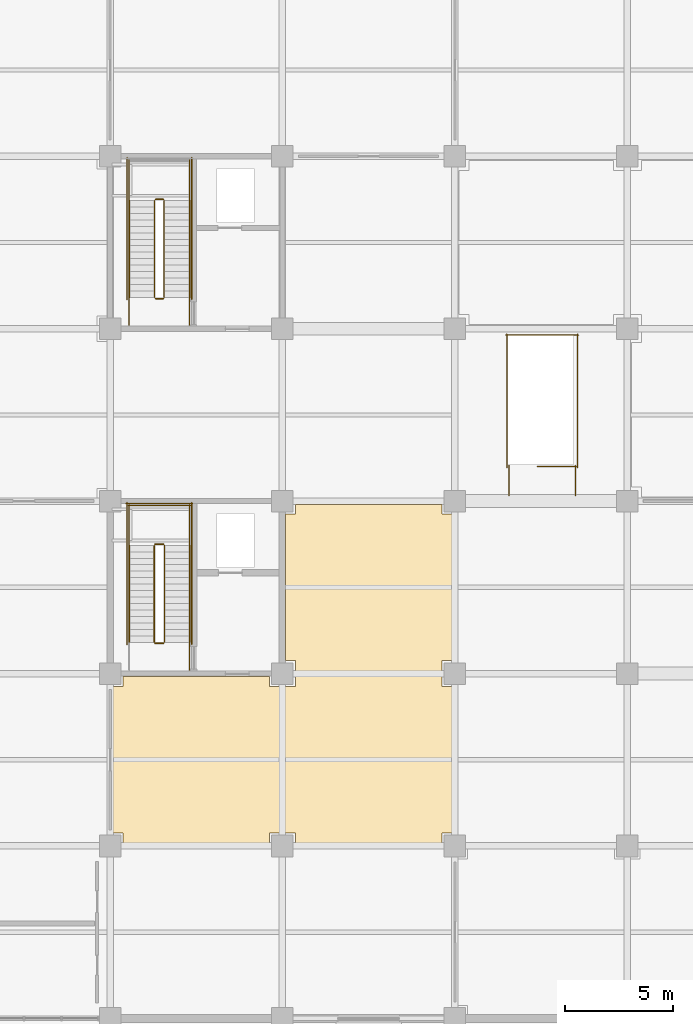
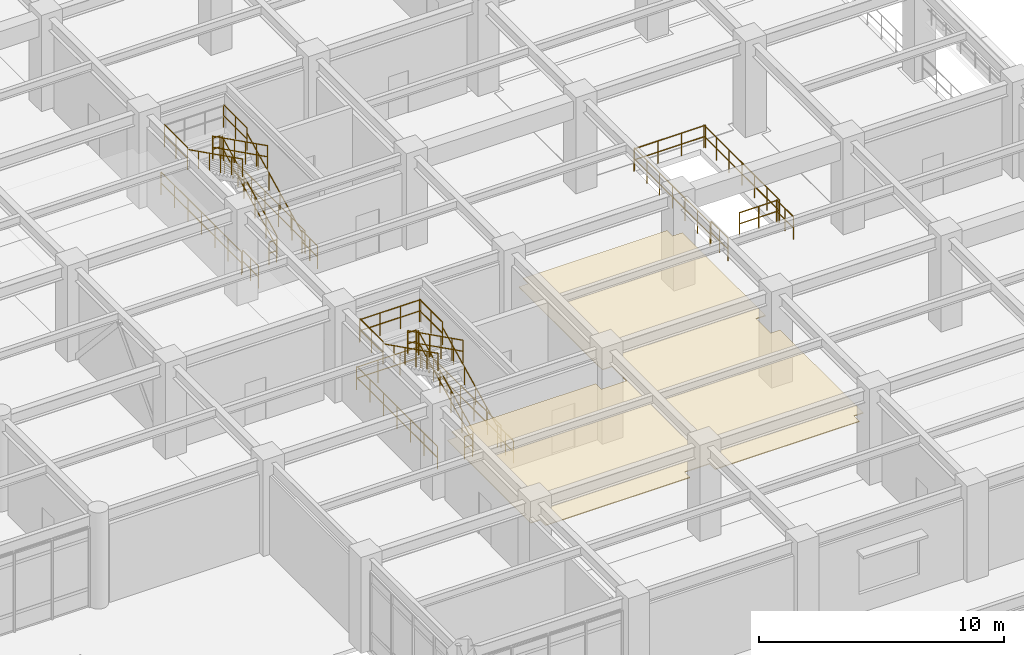
# One storey, part 98 of 117: 31 railings, 1 covering.
"""IFC4 building model written with IfcOpenShell, lengths in metres."""

from ifc_helpers import new_model, si_unit, direction, frame, origin, origin_2d, place, context, subcontext, project, spatial, polyline, circle, outline, extrude, material, layer, layer_set, type_object, element, save


model = new_model("IFC4")

# Units and contexts
model_context = context("Model", 3, precision=1e-05, world=origin(), true_north=direction((0.0, 1.0)))
body_context = subcontext(model_context, "Body", "Model", "MODEL_VIEW")
ifc_project = project(units=[si_unit("LENGTHUNIT", "METRE"), si_unit("AREAUNIT", "SQUARE_METRE"), si_unit("VOLUMEUNIT", "CUBIC_METRE"), si_unit("PLANEANGLEUNIT", "RADIAN"), si_unit("MASSUNIT", "GRAM", prefix="KILO")], contexts=[model_context])

# Site, building, storey
site_placement = place(None, origin())
site = spatial("IfcSite", under=ifc_project, at=site_placement, CompositionType="ELEMENT")
building_placement = place(site_placement, origin())
building = spatial("IfcBuilding", under=site, at=building_placement, Name="Haebicheon Civic Stadium", CompositionType="ELEMENT")
storey_placement = place(building_placement, frame((0.0, 0.0, 4.800048828125)))
storey = spatial("IfcBuildingStorey", under=building, at=storey_placement, Name="L02", CompositionType="ELEMENT", Elevation=4.800048828125)

# Covering
ifc_material_1 = material(Name="Perforated mineral-fibre acoustic board", Category="gypsum")
ifc_layer = layer(ifc_material_1, 0.0400390625, Name="Perforated mineral-fibre acoustic board")
ifc_layer_set = layer_set([ifc_layer], Name="Perforated mineral-fibre acoustic board")
covering_type = type_object("IfcCoveringType", Name="COV-CLG-AC", PredefinedType="CEILING", material=ifc_layer_set)
covering_placement = place(storey_placement, frame((0.0, 0.0, 2.81005859375)))
element("IfcCovering", 1, at=covering_placement, inside=storey, type_object=covering_type, material=ifc_layer_set, Name="L02 First Aid Station acoustic ceiling", PredefinedType="CEILING", context=body_context, shape_type="SweptSolid", body=[
    extrude(outline(polyline([(32.14501953125, 39.405029296875), (32.594970703125, 39.405029296875), (32.594970703125, 39.85498046875), (39.405029296875, 39.85498046875), (39.405029296875, 39.405029296875), (40.594970703125, 39.405029296875), (40.594970703125, 40.594970703125), (40.14501953125, 40.594970703125), (40.14501953125, 47.405029296875), (40.594970703125, 47.405029296875), (40.594970703125, 47.85498046875), (47.405029296875, 47.85498046875), (47.405029296875, 47.405029296875), (47.85498046875, 47.405029296875), (47.85498046875, 40.594970703125), (47.405029296875, 40.594970703125), (47.405029296875, 39.405029296875), (47.85498046875, 39.405029296875), (47.85498046875, 32.594970703125), (47.405029296875, 32.594970703125), (47.405029296875, 32.14501953125), (40.594970703125, 32.14501953125), (40.594970703125, 32.594970703125), (39.405029296875, 32.594970703125), (39.405029296875, 32.14501953125), (32.594970703125, 32.14501953125), (32.594970703125, 32.594970703125), (32.14501953125, 32.594970703125), (32.14501953125, 39.405029296875)])), origin(), (0.0, 0.0, 1.0), 0.039794921875),
])

# Railings
ifc_material_2 = material(Name="Galvanised painted steel SM355", Category="steel")
railing_type_1 = type_object("IfcRailingType", Name="RL-GRD-1150", PredefinedType="GUARDRAIL", material=ifc_material_2)
railing_1_placement = place(storey_placement, frame((34.530029296875, 41.449951171875, 0.14990234375)))
element("IfcRailing", 2, at=railing_1_placement, inside=storey, type_object=railing_type_1, material=ifc_material_2, Name="L02 ST-01 stair guard 1", PredefinedType="GUARDRAIL", context=body_context, shape_type="SweptSolid", body=[
    extrude(circle(Radius=0.02392578125, at=origin_2d()), frame((0.0, 0.0, 1.1259765625), z_axis=(0.0, 0.894427191, 0.4472135955), x_axis=(-1.0, 0.0, 0.0)), (0.0, 0.0, 1.0), 5.03125),
    extrude(circle(Radius=0.02392578125, at=origin_2d()), frame((0.0, 0.0, 0.574951171875), z_axis=(0.0, 0.894427191, 0.4472135955), x_axis=(-1.0, 0.0, 0.0)), (0.0, 0.0, 1.0), 5.03125),
    extrude(circle(Radius=0.02099609375, at=origin_2d()), origin(), (0.0, 0.0, 1.0), 1.101806640625),
    extrude(circle(Radius=0.02099609375, at=origin_2d()), frame((0.0, 0.89990234375, 0.449951171875)), (0.0, 0.0, 1.0), 1.101806640625),
    extrude(circle(Radius=0.02099609375, at=origin_2d()), frame((0.0, 1.800048828125, 0.89990234375)), (0.0, 0.0, 1.0), 1.101806640625),
    extrude(circle(Radius=0.02099609375, at=origin_2d()), frame((0.0, 2.699951171875, 1.35009765625)), (0.0, 0.0, 1.0), 1.101806640625),
    extrude(circle(Radius=0.02099609375, at=origin_2d()), frame((0.0, 3.60009765625, 1.800048828125)), (0.0, 0.0, 1.0), 1.101806640625),
    extrude(circle(Radius=0.02099609375, at=origin_2d()), frame((0.0, 4.5, 2.25)), (0.0, 0.0, 1.0), 1.101806640625),
])
railing_2_placement = place(storey_placement, frame((34.47998046875, 46.0, 2.39990234375)))
element("IfcRailing", 3, at=railing_2_placement, inside=storey, type_object=railing_type_1, material=ifc_material_2, Name="L02 ST-01 stair guard 2", PredefinedType="GUARDRAIL", context=body_context, shape_type="SweptSolid", body=[
    extrude(circle(Radius=0.02392578125, at=origin_2d()), frame((0.0, 0.0, 1.1259765625), z_axis=(-1.0, 0.0, 0.0), x_axis=(0.0, -1.0, 0.0)), (0.0, 0.0, 1.0), 0.3798828125),
    extrude(circle(Radius=0.02392578125, at=origin_2d()), frame((0.0, 0.0, 0.574951171875), z_axis=(-1.0, 0.0, 0.0), x_axis=(0.0, -1.0, 0.0)), (0.0, 0.0, 1.0), 0.3798828125),
    extrude(circle(Radius=0.02099609375, at=origin_2d()), origin(), (0.0, 0.0, 1.0), 1.101806640625),
    extrude(circle(Radius=0.02099609375, at=origin_2d()), frame((-0.3798828125, 0.0, 0.0)), (0.0, 0.0, 1.0), 1.101806640625),
])
for number, where, name in (
    (4, (35.68994140625, 45.949951171875, 2.39990234375), "L02 ST-01 stair guard 3"),
    (5, (32.889892578125, 45.949951171875, 2.39990234375), "L02 ST-01 stair guard 4"),
):
    element("IfcRailing", number, at=place(storey_placement, frame(where)), inside=storey, type_object=railing_type_1, material=ifc_material_2, Name=name, PredefinedType="GUARDRAIL", context=body_context, shape_type="SweptSolid", body=[
        extrude(circle(Radius=0.02392578125, at=origin_2d()), frame((0.0, 0.0, 1.1259765625), z_axis=(0.0, 1.0, 0.0), x_axis=(-1.0, 0.0, 0.0)), (0.0, 0.0, 1.0), 1.89013671875),
        extrude(circle(Radius=0.02392578125, at=origin_2d()), frame((0.0, 0.0, 0.574951171875), z_axis=(0.0, 1.0, 0.0), x_axis=(-1.0, 0.0, 0.0)), (0.0, 0.0, 1.0), 1.89013671875),
        extrude(circle(Radius=0.02099609375, at=origin_2d()), origin(), (0.0, 0.0, 1.0), 1.101806640625),
        extrude(circle(Radius=0.02099609375, at=origin_2d()), frame((0.0, 0.945068359375, 0.0)), (0.0, 0.0, 1.0), 1.101806640625),
        extrude(circle(Radius=0.02099609375, at=origin_2d()), frame((0.0, 1.89013671875, 0.0)), (0.0, 0.0, 1.0), 1.101806640625),
    ])
railing_3_placement = place(storey_placement, frame((35.739990234375, 47.7900390625, 2.39990234375)))
element("IfcRailing", 6, at=railing_3_placement, inside=storey, type_object=railing_type_1, material=ifc_material_2, Name="L02 ST-01 stair guard 5", PredefinedType="GUARDRAIL", context=body_context, shape_type="SweptSolid", body=[
    extrude(circle(Radius=0.02392578125, at=origin_2d()), frame((0.0, 0.0, 1.1259765625), z_axis=(-1.0, 0.0, 0.0), x_axis=(0.0, -1.0, 0.0)), (0.0, 0.0, 1.0), 2.89990234375),
    extrude(circle(Radius=0.02392578125, at=origin_2d()), frame((0.0, 0.0, 0.574951171875), z_axis=(-1.0, 0.0, 0.0), x_axis=(0.0, -1.0, 0.0)), (0.0, 0.0, 1.0), 2.89990234375),
    extrude(circle(Radius=0.02099609375, at=origin_2d()), origin(), (0.0, 0.0, 1.0), 1.101806640625),
    extrude(circle(Radius=0.02099609375, at=origin_2d()), frame((-0.966552734375, 0.0, 0.0)), (0.0, 0.0, 1.0), 1.101806640625),
    extrude(circle(Radius=0.02099609375, at=origin_2d()), frame((-1.933349609375, 0.0, 0.0)), (0.0, 0.0, 1.0), 1.101806640625),
    extrude(circle(Radius=0.02099609375, at=origin_2d()), frame((-2.89990234375, 0.0, 0.0)), (0.0, 0.0, 1.0), 1.101806640625),
])
railing_4_placement = place(storey_placement, frame((34.050048828125, 45.949951171875, 2.550048828125)))
element("IfcRailing", 7, at=railing_4_placement, inside=storey, type_object=railing_type_1, material=ifc_material_2, Name="L02 ST-01 stair guard 6", PredefinedType="GUARDRAIL", context=body_context, shape_type="SweptSolid", body=[
    extrude(circle(Radius=0.02392578125, at=origin_2d()), frame((0.0, 0.0, 1.1259765625), z_axis=(0.0, -0.894427191, 0.4472135955), x_axis=(1.0, 0.0, 0.0)), (0.0, 0.0, 1.0), 5.03125),
    extrude(circle(Radius=0.02392578125, at=origin_2d()), frame((0.0, 0.0, 0.574951171875), z_axis=(0.0, -0.894427191, 0.4472135955), x_axis=(1.0, 0.0, 0.0)), (0.0, 0.0, 1.0), 5.03125),
    extrude(circle(Radius=0.02099609375, at=origin_2d()), origin(), (0.0, 0.0, 1.0), 1.101806640625),
    extrude(circle(Radius=0.02099609375, at=origin_2d()), frame((0.0, -0.89990234375, 0.449951171875)), (0.0, 0.0, 1.0), 1.101806640625),
    extrude(circle(Radius=0.02099609375, at=origin_2d()), frame((0.0, -1.800048828125, 0.89990234375)), (0.0, 0.0, 1.0), 1.101806640625),
    extrude(circle(Radius=0.02099609375, at=origin_2d()), frame((0.0, -2.699951171875, 1.35009765625)), (0.0, 0.0, 1.0), 1.101806640625),
    extrude(circle(Radius=0.02099609375, at=origin_2d()), frame((0.0, -3.60009765625, 1.800048828125)), (0.0, 0.0, 1.0), 1.101806640625),
    extrude(circle(Radius=0.02099609375, at=origin_2d()), frame((0.0, -4.5, 2.25)), (0.0, 0.0, 1.0), 1.101806640625),
])
railing_5_placement = place(storey_placement, frame((34.47998046875, 41.39990234375, 0.0)))
element("IfcRailing", 8, at=railing_5_placement, inside=storey, type_object=railing_type_1, material=ifc_material_2, Name="L02 ST-01 stair guard 7", PredefinedType="GUARDRAIL", context=body_context, shape_type="SweptSolid", body=[
    extrude(circle(Radius=0.02392578125, at=origin_2d()), frame((0.0, 0.0, 1.1259765625), z_axis=(-1.0, 0.0, 0.0), x_axis=(0.0, -1.0, 0.0)), (0.0, 0.0, 1.0), 0.3798828125),
    extrude(circle(Radius=0.02392578125, at=origin_2d()), frame((0.0, 0.0, 0.574951171875), z_axis=(-1.0, 0.0, 0.0), x_axis=(0.0, -1.0, 0.0)), (0.0, 0.0, 1.0), 0.3798828125),
    extrude(circle(Radius=0.02099609375, at=origin_2d()), origin(), (0.0, 0.0, 1.0), 1.101806640625),
    extrude(circle(Radius=0.02099609375, at=origin_2d()), frame((-0.3798828125, 0.0, 0.0)), (0.0, 0.0, 1.0), 1.101806640625),
])
railing_6_placement = place(storey_placement, frame((35.68994140625, 40.159912109375, 0.0)))
element("IfcRailing", 9, at=railing_6_placement, inside=storey, type_object=railing_type_1, material=ifc_material_2, Name="L02 ST-01 stair guard 8", PredefinedType="GUARDRAIL", context=body_context, shape_type="SweptSolid", body=[
    extrude(circle(Radius=0.02392578125, at=origin_2d()), frame((0.0, 0.0, 1.1259765625), z_axis=(0.0, 1.0, 0.0), x_axis=(-1.0, 0.0, 0.0)), (0.0, 0.0, 1.0), 1.2900390625),
    extrude(circle(Radius=0.02392578125, at=origin_2d()), frame((0.0, 0.0, 0.574951171875), z_axis=(0.0, 1.0, 0.0), x_axis=(-1.0, 0.0, 0.0)), (0.0, 0.0, 1.0), 1.2900390625),
    extrude(circle(Radius=0.02099609375, at=origin_2d()), origin(), (0.0, 0.0, 1.0), 1.101806640625),
    extrude(circle(Radius=0.02099609375, at=origin_2d()), frame((0.0, 0.64501953125, 0.0)), (0.0, 0.0, 1.0), 1.101806640625),
    extrude(circle(Radius=0.02099609375, at=origin_2d()), frame((0.0, 1.2900390625, 0.0)), (0.0, 0.0, 1.0), 1.101806640625),
])
for number, where, name in (
    (10, (35.7900390625, 41.35009765625, 0.0), "L02 ST-01 stair guard 10"),
    (11, (32.7900390625, 41.35009765625, 0.0), "L02 ST-01 stair guard 11"),
):
    element("IfcRailing", number, at=place(storey_placement, frame(where)), inside=storey, type_object=railing_type_1, material=ifc_material_2, Name=name, PredefinedType="GUARDRAIL", context=body_context, shape_type="SweptSolid", body=[
        extrude(circle(Radius=0.02392578125, at=origin_2d()), frame((0.0, 0.0, 1.1259765625), z_axis=(0.0, 1.0, 0.0), x_axis=(-1.0, 0.0, 0.0)), (0.0, 0.0, 1.0), 6.58984375),
        extrude(circle(Radius=0.02392578125, at=origin_2d()), frame((0.0, 0.0, 0.574951171875), z_axis=(0.0, 1.0, 0.0), x_axis=(-1.0, 0.0, 0.0)), (0.0, 0.0, 1.0), 6.58984375),
        extrude(circle(Radius=0.02099609375, at=origin_2d()), origin(), (0.0, 0.0, 1.0), 1.101806640625),
        extrude(circle(Radius=0.02099609375, at=origin_2d()), frame((0.0, 1.098388671875, 0.0)), (0.0, 0.0, 1.0), 1.101806640625),
        extrude(circle(Radius=0.02099609375, at=origin_2d()), frame((0.0, 2.196533203125, 0.0)), (0.0, 0.0, 1.0), 1.101806640625),
        extrude(circle(Radius=0.02099609375, at=origin_2d()), frame((0.0, 3.294921875, 0.0)), (0.0, 0.0, 1.0), 1.101806640625),
        extrude(circle(Radius=0.02099609375, at=origin_2d()), frame((0.0, 4.393310546875, 0.0)), (0.0, 0.0, 1.0), 1.101806640625),
        extrude(circle(Radius=0.02099609375, at=origin_2d()), frame((0.0, 5.491455078125, 0.0)), (0.0, 0.0, 1.0), 1.101806640625),
        extrude(circle(Radius=0.02099609375, at=origin_2d()), frame((0.0, 6.58984375, 0.0)), (0.0, 0.0, 1.0), 1.101806640625),
    ])
railing_7_placement = place(storey_placement, frame((35.840087890625, 47.889892578125, 0.0)))
element("IfcRailing", 12, at=railing_7_placement, inside=storey, type_object=railing_type_1, material=ifc_material_2, Name="L02 ST-01 stair guard 12", PredefinedType="GUARDRAIL", context=body_context, shape_type="SweptSolid", body=[
    extrude(circle(Radius=0.02392578125, at=origin_2d()), frame((0.0, 0.0, 1.1259765625), z_axis=(-1.0, 0.0, 0.0), x_axis=(0.0, -1.0, 0.0)), (0.0, 0.0, 1.0), 3.10009765625),
    extrude(circle(Radius=0.02392578125, at=origin_2d()), frame((0.0, 0.0, 0.574951171875), z_axis=(-1.0, 0.0, 0.0), x_axis=(0.0, -1.0, 0.0)), (0.0, 0.0, 1.0), 3.10009765625),
    extrude(circle(Radius=0.02099609375, at=origin_2d()), origin(), (0.0, 0.0, 1.0), 1.101806640625),
    extrude(circle(Radius=0.02099609375, at=origin_2d()), frame((-1.033447265625, 0.0, 0.0)), (0.0, 0.0, 1.0), 1.101806640625),
    extrude(circle(Radius=0.02099609375, at=origin_2d()), frame((-2.066650390625, 0.0, 0.0)), (0.0, 0.0, 1.0), 1.101806640625),
    extrude(circle(Radius=0.02099609375, at=origin_2d()), frame((-3.10009765625, 0.0, 0.0)), (0.0, 0.0, 1.0), 1.101806640625),
])
railing_8_placement = place(storey_placement, frame((34.510009765625, 57.449951171875, 0.14990234375)))
element("IfcRailing", 13, at=railing_8_placement, inside=storey, type_object=railing_type_1, material=ifc_material_2, Name="L02 ST-02 stair guard 1", PredefinedType="GUARDRAIL", context=body_context, shape_type="SweptSolid", body=[
    extrude(circle(Radius=0.02392578125, at=origin_2d()), frame((0.0, 0.0, 1.1259765625), z_axis=(0.0, 0.894427191, 0.4472135955), x_axis=(-1.0, 0.0, 0.0)), (0.0, 0.0, 1.0), 5.03125),
    extrude(circle(Radius=0.02392578125, at=origin_2d()), frame((0.0, 0.0, 0.574951171875), z_axis=(0.0, 0.894427191, 0.4472135955), x_axis=(-1.0, 0.0, 0.0)), (0.0, 0.0, 1.0), 5.03125),
    extrude(circle(Radius=0.02099609375, at=origin_2d()), origin(), (0.0, 0.0, 1.0), 1.101806640625),
    extrude(circle(Radius=0.02099609375, at=origin_2d()), frame((0.0, 0.89990234375, 0.449951171875)), (0.0, 0.0, 1.0), 1.101806640625),
    extrude(circle(Radius=0.02099609375, at=origin_2d()), frame((0.0, 1.800048828125, 0.89990234375)), (0.0, 0.0, 1.0), 1.101806640625),
    extrude(circle(Radius=0.02099609375, at=origin_2d()), frame((0.0, 2.699951171875, 1.35009765625)), (0.0, 0.0, 1.0), 1.101806640625),
    extrude(circle(Radius=0.02099609375, at=origin_2d()), frame((0.0, 3.60009765625, 1.800048828125)), (0.0, 0.0, 1.0), 1.101806640625),
    extrude(circle(Radius=0.02099609375, at=origin_2d()), frame((0.0, 4.5, 2.25)), (0.0, 0.0, 1.0), 1.101806640625),
])
railing_9_placement = place(storey_placement, frame((34.4599609375, 62.0, 2.39990234375)))
element("IfcRailing", 14, at=railing_9_placement, inside=storey, type_object=railing_type_1, material=ifc_material_2, Name="L02 ST-02 stair guard 2", PredefinedType="GUARDRAIL", context=body_context, shape_type="SweptSolid", body=[
    extrude(circle(Radius=0.02392578125, at=origin_2d()), frame((0.0, 0.0, 1.1259765625), z_axis=(-1.0, 0.0, 0.0), x_axis=(0.0, -1.0, 0.0)), (0.0, 0.0, 1.0), 0.33984375),
    extrude(circle(Radius=0.02392578125, at=origin_2d()), frame((0.0, 0.0, 0.574951171875), z_axis=(-1.0, 0.0, 0.0), x_axis=(0.0, -1.0, 0.0)), (0.0, 0.0, 1.0), 0.33984375),
    extrude(circle(Radius=0.02099609375, at=origin_2d()), origin(), (0.0, 0.0, 1.0), 1.101806640625),
    extrude(circle(Radius=0.02099609375, at=origin_2d()), frame((-0.33984375, 0.0, 0.0)), (0.0, 0.0, 1.0), 1.101806640625),
])
for number, where, name in (
    (15, (35.68994140625, 61.949951171875, 2.39990234375), "L02 ST-02 stair guard 3"),
    (16, (32.889892578125, 61.949951171875, 2.39990234375), "L02 ST-02 stair guard 4"),
):
    element("IfcRailing", number, at=place(storey_placement, frame(where)), inside=storey, type_object=railing_type_1, material=ifc_material_2, Name=name, PredefinedType="GUARDRAIL", context=body_context, shape_type="SweptSolid", body=[
        extrude(circle(Radius=0.02392578125, at=origin_2d()), frame((0.0, 0.0, 1.1259765625), z_axis=(0.0, 1.0, 0.0), x_axis=(-1.0, 0.0, 0.0)), (0.0, 0.0, 1.0), 1.89013671875),
        extrude(circle(Radius=0.02392578125, at=origin_2d()), frame((0.0, 0.0, 0.574951171875), z_axis=(0.0, 1.0, 0.0), x_axis=(-1.0, 0.0, 0.0)), (0.0, 0.0, 1.0), 1.89013671875),
        extrude(circle(Radius=0.02099609375, at=origin_2d()), origin(), (0.0, 0.0, 1.0), 1.101806640625),
        extrude(circle(Radius=0.02099609375, at=origin_2d()), frame((0.0, 0.945068359375, 0.0)), (0.0, 0.0, 1.0), 1.101806640625),
        extrude(circle(Radius=0.02099609375, at=origin_2d()), frame((0.0, 1.89013671875, 0.0)), (0.0, 0.0, 1.0), 1.101806640625),
    ])
railing_10_placement = place(storey_placement, frame((34.070068359375, 61.949951171875, 2.550048828125)))
element("IfcRailing", 17, at=railing_10_placement, inside=storey, type_object=railing_type_1, material=ifc_material_2, Name="L02 ST-02 stair guard 6", PredefinedType="GUARDRAIL", context=body_context, shape_type="SweptSolid", body=[
    extrude(circle(Radius=0.02392578125, at=origin_2d()), frame((0.0, 0.0, 1.1259765625), z_axis=(0.0, -0.894427191, 0.4472135955), x_axis=(1.0, 0.0, 0.0)), (0.0, 0.0, 1.0), 5.03125),
    extrude(circle(Radius=0.02392578125, at=origin_2d()), frame((0.0, 0.0, 0.574951171875), z_axis=(0.0, -0.894427191, 0.4472135955), x_axis=(1.0, 0.0, 0.0)), (0.0, 0.0, 1.0), 5.03125),
    extrude(circle(Radius=0.02099609375, at=origin_2d()), origin(), (0.0, 0.0, 1.0), 1.101806640625),
    extrude(circle(Radius=0.02099609375, at=origin_2d()), frame((0.0, -0.89990234375, 0.449951171875)), (0.0, 0.0, 1.0), 1.101806640625),
    extrude(circle(Radius=0.02099609375, at=origin_2d()), frame((0.0, -1.800048828125, 0.89990234375)), (0.0, 0.0, 1.0), 1.101806640625),
    extrude(circle(Radius=0.02099609375, at=origin_2d()), frame((0.0, -2.699951171875, 1.35009765625)), (0.0, 0.0, 1.0), 1.101806640625),
    extrude(circle(Radius=0.02099609375, at=origin_2d()), frame((0.0, -3.60009765625, 1.800048828125)), (0.0, 0.0, 1.0), 1.101806640625),
    extrude(circle(Radius=0.02099609375, at=origin_2d()), frame((0.0, -4.5, 2.25)), (0.0, 0.0, 1.0), 1.101806640625),
])
railing_11_placement = place(storey_placement, frame((34.4599609375, 57.39990234375, 0.0)))
element("IfcRailing", 18, at=railing_11_placement, inside=storey, type_object=railing_type_1, material=ifc_material_2, Name="L02 ST-02 stair guard 7", PredefinedType="GUARDRAIL", context=body_context, shape_type="SweptSolid", body=[
    extrude(circle(Radius=0.02392578125, at=origin_2d()), frame((0.0, 0.0, 1.1259765625), z_axis=(-1.0, 0.0, 0.0), x_axis=(0.0, -1.0, 0.0)), (0.0, 0.0, 1.0), 0.33984375),
    extrude(circle(Radius=0.02392578125, at=origin_2d()), frame((0.0, 0.0, 0.574951171875), z_axis=(-1.0, 0.0, 0.0), x_axis=(0.0, -1.0, 0.0)), (0.0, 0.0, 1.0), 0.33984375),
    extrude(circle(Radius=0.02099609375, at=origin_2d()), origin(), (0.0, 0.0, 1.0), 1.101806640625),
    extrude(circle(Radius=0.02099609375, at=origin_2d()), frame((-0.33984375, 0.0, 0.0)), (0.0, 0.0, 1.0), 1.101806640625),
])
for number, where, name in (
    (19, (35.68994140625, 56.159912109375, 0.0), "L02 ST-02 stair guard 8"),
    (20, (32.889892578125, 56.159912109375, 0.0), "L02 ST-02 stair guard 9"),
):
    element("IfcRailing", number, at=place(storey_placement, frame(where)), inside=storey, type_object=railing_type_1, material=ifc_material_2, Name=name, PredefinedType="GUARDRAIL", context=body_context, shape_type="SweptSolid", body=[
        extrude(circle(Radius=0.02392578125, at=origin_2d()), frame((0.0, 0.0, 1.1259765625), z_axis=(0.0, 1.0, 0.0), x_axis=(-1.0, 0.0, 0.0)), (0.0, 0.0, 1.0), 1.2900390625),
        extrude(circle(Radius=0.02392578125, at=origin_2d()), frame((0.0, 0.0, 0.574951171875), z_axis=(0.0, 1.0, 0.0), x_axis=(-1.0, 0.0, 0.0)), (0.0, 0.0, 1.0), 1.2900390625),
        extrude(circle(Radius=0.02099609375, at=origin_2d()), origin(), (0.0, 0.0, 1.0), 1.101806640625),
        extrude(circle(Radius=0.02099609375, at=origin_2d()), frame((0.0, 0.64501953125, 0.0)), (0.0, 0.0, 1.0), 1.101806640625),
        extrude(circle(Radius=0.02099609375, at=origin_2d()), frame((0.0, 1.2900390625, 0.0)), (0.0, 0.0, 1.0), 1.101806640625),
    ])
for number, where, name in (
    (21, (35.7900390625, 57.35009765625, 0.0), "L02 ST-02 stair guard 10"),
    (22, (32.7900390625, 57.35009765625, 0.0), "L02 ST-02 stair guard 11"),
):
    element("IfcRailing", number, at=place(storey_placement, frame(where)), inside=storey, type_object=railing_type_1, material=ifc_material_2, Name=name, PredefinedType="GUARDRAIL", context=body_context, shape_type="SweptSolid", body=[
        extrude(circle(Radius=0.02392578125, at=origin_2d()), frame((0.0, 0.0, 1.1259765625), z_axis=(0.0, 1.0, 0.0), x_axis=(-1.0, 0.0, 0.0)), (0.0, 0.0, 1.0), 6.58984375),
        extrude(circle(Radius=0.02392578125, at=origin_2d()), frame((0.0, 0.0, 0.574951171875), z_axis=(0.0, 1.0, 0.0), x_axis=(-1.0, 0.0, 0.0)), (0.0, 0.0, 1.0), 6.58984375),
        extrude(circle(Radius=0.02099609375, at=origin_2d()), origin(), (0.0, 0.0, 1.0), 1.101806640625),
        extrude(circle(Radius=0.02099609375, at=origin_2d()), frame((0.0, 1.098388671875, 0.0)), (0.0, 0.0, 1.0), 1.101806640625),
        extrude(circle(Radius=0.02099609375, at=origin_2d()), frame((0.0, 2.196533203125, 0.0)), (0.0, 0.0, 1.0), 1.101806640625),
        extrude(circle(Radius=0.02099609375, at=origin_2d()), frame((0.0, 3.294921875, 0.0)), (0.0, 0.0, 1.0), 1.101806640625),
        extrude(circle(Radius=0.02099609375, at=origin_2d()), frame((0.0, 4.393310546875, 0.0)), (0.0, 0.0, 1.0), 1.101806640625),
        extrude(circle(Radius=0.02099609375, at=origin_2d()), frame((0.0, 5.491455078125, 0.0)), (0.0, 0.0, 1.0), 1.101806640625),
        extrude(circle(Radius=0.02099609375, at=origin_2d()), frame((0.0, 6.58984375, 0.0)), (0.0, 0.0, 1.0), 1.101806640625),
    ])
railing_12_placement = place(storey_placement, frame((53.639892578125, 49.60009765625, 0.0)))
element("IfcRailing", 23, at=railing_12_placement, inside=storey, type_object=railing_type_1, material=ifc_material_2, Name="L02 VM-01 top well guard 1", PredefinedType="GUARDRAIL", context=body_context, shape_type="SweptSolid", body=[
    extrude(circle(Radius=0.02392578125, at=origin_2d()), frame((0.0, 0.0, 1.1259765625), z_axis=(-1.0, 0.0, 0.0), x_axis=(0.0, -1.0, 0.0)), (0.0, 0.0, 1.0), 1.81982421875),
    extrude(circle(Radius=0.02392578125, at=origin_2d()), frame((0.0, 0.0, 0.574951171875), z_axis=(-1.0, 0.0, 0.0), x_axis=(0.0, -1.0, 0.0)), (0.0, 0.0, 1.0), 1.81982421875),
    extrude(circle(Radius=0.02099609375, at=origin_2d()), origin(), (0.0, 0.0, 1.0), 1.101806640625),
    extrude(circle(Radius=0.02099609375, at=origin_2d()), frame((-0.909912109375, 0.0, 0.0)), (0.0, 0.0, 1.0), 1.101806640625),
    extrude(circle(Radius=0.02099609375, at=origin_2d()), frame((-1.81982421875, 0.0, 0.0)), (0.0, 0.0, 1.0), 1.101806640625),
])
for number, where, name in (
    (24, (53.68994140625, 49.550048828125, 0.0), "L02 VM-01 top well guard 2"),
    (25, (50.409912109375, 49.550048828125, 0.0), "L02 VM-01 top well guard 3"),
):
    element("IfcRailing", number, at=place(storey_placement, frame(where)), inside=storey, type_object=railing_type_1, material=ifc_material_2, Name=name, PredefinedType="GUARDRAIL", context=body_context, shape_type="SweptSolid", body=[
        extrude(circle(Radius=0.02392578125, at=origin_2d()), frame((0.0, 0.0, 1.1259765625), z_axis=(0.0, 1.0, 0.0), x_axis=(-1.0, 0.0, 0.0)), (0.0, 0.0, 1.0), 6.199951171875),
        extrude(circle(Radius=0.02392578125, at=origin_2d()), frame((0.0, 0.0, 0.574951171875), z_axis=(0.0, 1.0, 0.0), x_axis=(-1.0, 0.0, 0.0)), (0.0, 0.0, 1.0), 6.199951171875),
        extrude(circle(Radius=0.02099609375, at=origin_2d()), origin(), (0.0, 0.0, 1.0), 1.101806640625),
        extrude(circle(Radius=0.02099609375, at=origin_2d()), frame((0.0, 1.033203125, 0.0)), (0.0, 0.0, 1.0), 1.101806640625),
        extrude(circle(Radius=0.02099609375, at=origin_2d()), frame((0.0, 2.066650390625, 0.0)), (0.0, 0.0, 1.0), 1.101806640625),
        extrude(circle(Radius=0.02099609375, at=origin_2d()), frame((0.0, 3.10009765625, 0.0)), (0.0, 0.0, 1.0), 1.101806640625),
        extrude(circle(Radius=0.02099609375, at=origin_2d()), frame((0.0, 4.13330078125, 0.0)), (0.0, 0.0, 1.0), 1.101806640625),
        extrude(circle(Radius=0.02099609375, at=origin_2d()), frame((0.0, 5.16650390625, 0.0)), (0.0, 0.0, 1.0), 1.101806640625),
        extrude(circle(Radius=0.02099609375, at=origin_2d()), frame((0.0, 6.199951171875, 0.0)), (0.0, 0.0, 1.0), 1.101806640625),
    ])
railing_13_placement = place(storey_placement, frame((53.739990234375, 55.699951171875, 0.0)))
element("IfcRailing", 26, at=railing_13_placement, inside=storey, type_object=railing_type_1, material=ifc_material_2, Name="L02 VM-01 top well guard 4", PredefinedType="GUARDRAIL", context=body_context, shape_type="SweptSolid", body=[
    extrude(circle(Radius=0.02392578125, at=origin_2d()), frame((0.0, 0.0, 1.1259765625), z_axis=(-1.0, 0.0, 0.0), x_axis=(0.0, -1.0, 0.0)), (0.0, 0.0, 1.0), 3.3798828125),
    extrude(circle(Radius=0.02392578125, at=origin_2d()), frame((0.0, 0.0, 0.574951171875), z_axis=(-1.0, 0.0, 0.0), x_axis=(0.0, -1.0, 0.0)), (0.0, 0.0, 1.0), 3.3798828125),
    extrude(circle(Radius=0.02099609375, at=origin_2d()), origin(), (0.0, 0.0, 1.0), 1.101806640625),
    extrude(circle(Radius=0.02099609375, at=origin_2d()), frame((-1.126708984375, 0.0, 0.0)), (0.0, 0.0, 1.0), 1.101806640625),
    extrude(circle(Radius=0.02099609375, at=origin_2d()), frame((-2.253173828125, 0.0, 0.0)), (0.0, 0.0, 1.0), 1.101806640625),
    extrude(circle(Radius=0.02099609375, at=origin_2d()), frame((-3.3798828125, 0.0, 0.0)), (0.0, 0.0, 1.0), 1.101806640625),
])
for number, where, name in (
    (27, (53.590087890625, 48.25, 0.0), "L02 VM-01 top well guard 5"),
    (28, (50.510009765625, 48.25, 0.0), "L02 VM-01 top well guard 6"),
):
    element("IfcRailing", number, at=place(storey_placement, frame(where)), inside=storey, type_object=railing_type_1, material=ifc_material_2, Name=name, PredefinedType="GUARDRAIL", context=body_context, shape_type="SweptSolid", body=[
        extrude(circle(Radius=0.02392578125, at=origin_2d()), frame((0.0, 0.0, 1.1259765625), z_axis=(0.0, 1.0, 0.0), x_axis=(-1.0, 0.0, 0.0)), (0.0, 0.0, 1.0), 1.39990234375),
        extrude(circle(Radius=0.02392578125, at=origin_2d()), frame((0.0, 0.0, 0.574951171875), z_axis=(0.0, 1.0, 0.0), x_axis=(-1.0, 0.0, 0.0)), (0.0, 0.0, 1.0), 1.39990234375),
        extrude(circle(Radius=0.02099609375, at=origin_2d()), origin(), (0.0, 0.0, 1.0), 1.101806640625),
        extrude(circle(Radius=0.02099609375, at=origin_2d()), frame((0.0, 0.699951171875, 0.0)), (0.0, 0.0, 1.0), 1.101806640625),
        extrude(circle(Radius=0.02099609375, at=origin_2d()), frame((0.0, 1.39990234375, 0.0)), (0.0, 0.0, 1.0), 1.101806640625),
    ])
ifc_material_3 = material(Name="Stainless steel 316", Category="steel")
railing_type_2 = type_object("IfcRailingType", Name="RL-HND-900", PredefinedType="HANDRAIL", material=ifc_material_3)
railing_14_placement = place(storey_placement, frame((35.68994140625, 41.449951171875, 0.14990234375)))
element("IfcRailing", 29, at=railing_14_placement, inside=storey, type_object=railing_type_2, material=ifc_material_3, Name="L02 ST-01 stair handrail 1", PredefinedType="HANDRAIL", context=body_context, shape_type="SweptSolid", body=[
    extrude(circle(Radius=0.02392578125, at=origin_2d()), frame((0.0, 0.0, 0.8759765625), z_axis=(0.0, 0.894427191, 0.4472135955), x_axis=(-1.0, 0.0, 0.0)), (0.0, 0.0, 1.0), 5.03125),
    extrude(circle(Radius=0.02099609375, at=origin_2d()), origin(), (0.0, 0.0, 1.0), 0.851806640625),
    extrude(circle(Radius=0.02099609375, at=origin_2d()), frame((0.0, 0.89990234375, 0.449951171875)), (0.0, 0.0, 1.0), 0.851806640625),
    extrude(circle(Radius=0.02099609375, at=origin_2d()), frame((0.0, 1.800048828125, 0.89990234375)), (0.0, 0.0, 1.0), 0.851806640625),
    extrude(circle(Radius=0.02099609375, at=origin_2d()), frame((0.0, 2.699951171875, 1.35009765625)), (0.0, 0.0, 1.0), 0.851806640625),
    extrude(circle(Radius=0.02099609375, at=origin_2d()), frame((0.0, 3.60009765625, 1.800048828125)), (0.0, 0.0, 1.0), 0.851806640625),
    extrude(circle(Radius=0.02099609375, at=origin_2d()), frame((0.0, 4.5, 2.25)), (0.0, 0.0, 1.0), 0.851806640625),
])
railing_15_placement = place(storey_placement, frame((32.889892578125, 45.949951171875, 2.550048828125)))
element("IfcRailing", 30, at=railing_15_placement, inside=storey, type_object=railing_type_2, material=ifc_material_3, Name="L02 ST-01 stair handrail 2", PredefinedType="HANDRAIL", context=body_context, shape_type="SweptSolid", body=[
    extrude(circle(Radius=0.02392578125, at=origin_2d()), frame((0.0, 0.0, 0.8759765625), z_axis=(0.0, -0.894427191, 0.4472135955), x_axis=(1.0, 0.0, 0.0)), (0.0, 0.0, 1.0), 5.03125),
    extrude(circle(Radius=0.02099609375, at=origin_2d()), origin(), (0.0, 0.0, 1.0), 0.851806640625),
    extrude(circle(Radius=0.02099609375, at=origin_2d()), frame((0.0, -0.89990234375, 0.449951171875)), (0.0, 0.0, 1.0), 0.851806640625),
    extrude(circle(Radius=0.02099609375, at=origin_2d()), frame((0.0, -1.800048828125, 0.89990234375)), (0.0, 0.0, 1.0), 0.851806640625),
    extrude(circle(Radius=0.02099609375, at=origin_2d()), frame((0.0, -2.699951171875, 1.35009765625)), (0.0, 0.0, 1.0), 0.851806640625),
    extrude(circle(Radius=0.02099609375, at=origin_2d()), frame((0.0, -3.60009765625, 1.800048828125)), (0.0, 0.0, 1.0), 0.851806640625),
    extrude(circle(Radius=0.02099609375, at=origin_2d()), frame((0.0, -4.5, 2.25)), (0.0, 0.0, 1.0), 0.851806640625),
])
railing_16_placement = place(storey_placement, frame((35.68994140625, 57.449951171875, 0.14990234375)))
element("IfcRailing", 31, at=railing_16_placement, inside=storey, type_object=railing_type_2, material=ifc_material_3, Name="L02 ST-02 stair handrail 1", PredefinedType="HANDRAIL", context=body_context, shape_type="SweptSolid", body=[
    extrude(circle(Radius=0.02392578125, at=origin_2d()), frame((0.0, 0.0, 0.8759765625), z_axis=(0.0, 0.894427191, 0.4472135955), x_axis=(-1.0, 0.0, 0.0)), (0.0, 0.0, 1.0), 5.03125),
    extrude(circle(Radius=0.02099609375, at=origin_2d()), origin(), (0.0, 0.0, 1.0), 0.851806640625),
    extrude(circle(Radius=0.02099609375, at=origin_2d()), frame((0.0, 0.89990234375, 0.449951171875)), (0.0, 0.0, 1.0), 0.851806640625),
    extrude(circle(Radius=0.02099609375, at=origin_2d()), frame((0.0, 1.800048828125, 0.89990234375)), (0.0, 0.0, 1.0), 0.851806640625),
    extrude(circle(Radius=0.02099609375, at=origin_2d()), frame((0.0, 2.699951171875, 1.35009765625)), (0.0, 0.0, 1.0), 0.851806640625),
    extrude(circle(Radius=0.02099609375, at=origin_2d()), frame((0.0, 3.60009765625, 1.800048828125)), (0.0, 0.0, 1.0), 0.851806640625),
    extrude(circle(Radius=0.02099609375, at=origin_2d()), frame((0.0, 4.5, 2.25)), (0.0, 0.0, 1.0), 0.851806640625),
])
railing_17_placement = place(storey_placement, frame((32.889892578125, 61.949951171875, 2.550048828125)))
element("IfcRailing", 32, at=railing_17_placement, inside=storey, type_object=railing_type_2, material=ifc_material_3, Name="L02 ST-02 stair handrail 2", PredefinedType="HANDRAIL", context=body_context, shape_type="SweptSolid", body=[
    extrude(circle(Radius=0.02392578125, at=origin_2d()), frame((0.0, 0.0, 0.8759765625), z_axis=(0.0, -0.894427191, 0.4472135955), x_axis=(1.0, 0.0, 0.0)), (0.0, 0.0, 1.0), 5.03125),
    extrude(circle(Radius=0.02099609375, at=origin_2d()), origin(), (0.0, 0.0, 1.0), 0.851806640625),
    extrude(circle(Radius=0.02099609375, at=origin_2d()), frame((0.0, -0.89990234375, 0.449951171875)), (0.0, 0.0, 1.0), 0.851806640625),
    extrude(circle(Radius=0.02099609375, at=origin_2d()), frame((0.0, -1.800048828125, 0.89990234375)), (0.0, 0.0, 1.0), 0.851806640625),
    extrude(circle(Radius=0.02099609375, at=origin_2d()), frame((0.0, -2.699951171875, 1.35009765625)), (0.0, 0.0, 1.0), 0.851806640625),
    extrude(circle(Radius=0.02099609375, at=origin_2d()), frame((0.0, -3.60009765625, 1.800048828125)), (0.0, 0.0, 1.0), 0.851806640625),
    extrude(circle(Radius=0.02099609375, at=origin_2d()), frame((0.0, -4.5, 2.25)), (0.0, 0.0, 1.0), 0.851806640625),
])

save(model, "model.ifc")
